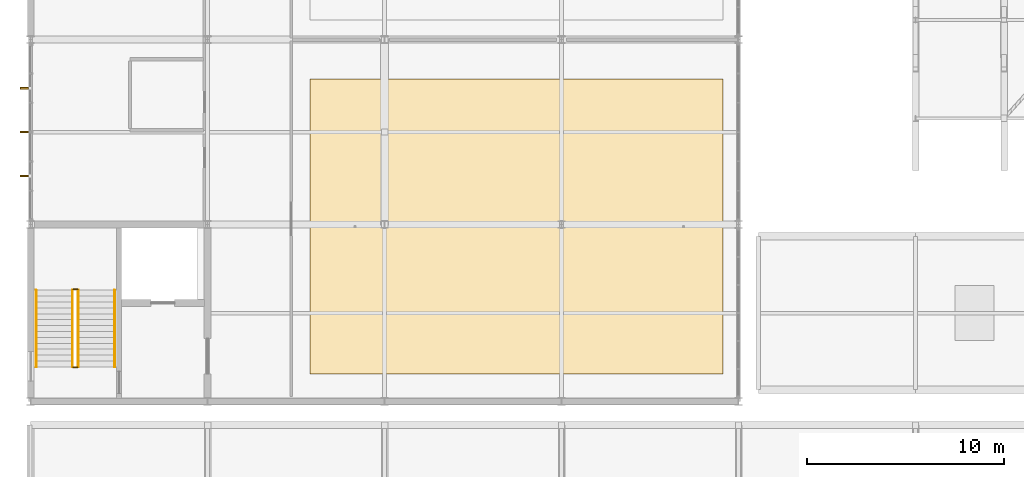
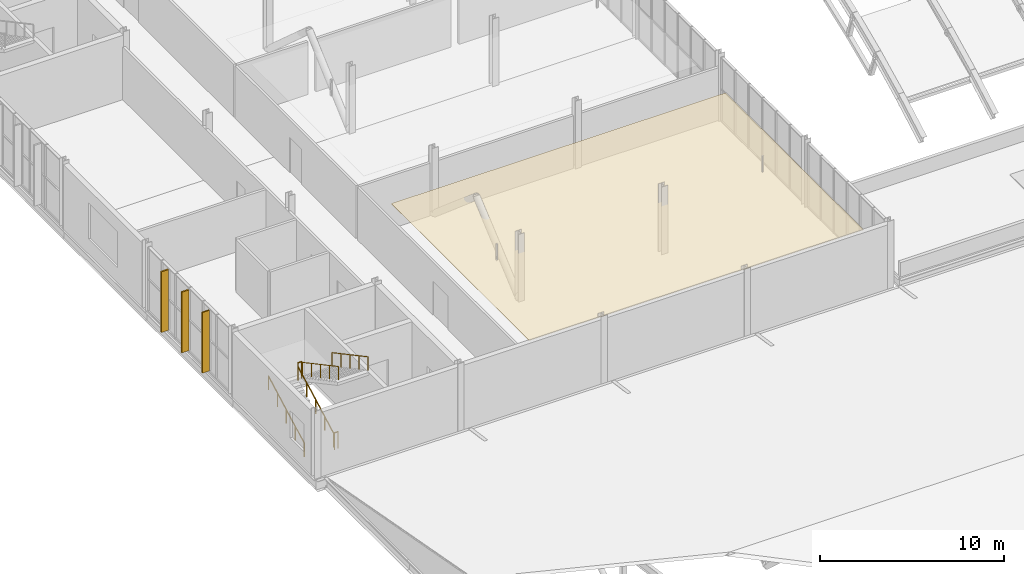
# One storey, part 101 of 103: 6 railings, 3 shading devices, 1 covering.
"""IFC4 building model written with IfcOpenShell, lengths in metres."""

import ifcopenshell
import ifcopenshell.guid

model = None  # the IFC model being written
_history = None  # IfcOwnerHistory: only IFC2X3 demands one
_inside = {}  # id of a spatial element -> (the spatial element, [elements in it])
_under = {}  # id of a project, library or spatial element -> (it, [spatial elements below it])
_declared = {}  # id of a project -> (the project, [libraries it declares])
_typed = {}  # id of a type object -> (the type object, [elements of that type])
_made_of = {}  # id of a material, layer set ... -> (it, [elements and type objects made of it])


def new_model(schema):
    """Start an empty IFC model of exactly this schema.

    Asked for "IFC4X3", IfcOpenShell would pick the latest addendum, in which some entities
    have other attributes; the version numbers below select the first issue.
    IFC2X3 requires an IfcOwnerHistory on every rooted entity: one is made here for all.
    """
    global model, _history
    if schema == "IFC4X3":
        model = ifcopenshell.file(schema_version=(4, 3, 0, 0))
    else:
        model = ifcopenshell.file(schema=schema)
    _inside.clear()
    _under.clear()
    _declared.clear()
    _typed.clear()
    _made_of.clear()
    _history = None
    if model.schema == "IFC2X3":
        org = make("IfcOrganization", Name="unknown")
        user = make(
            "IfcPersonAndOrganization",
            ThePerson=make("IfcPerson", FamilyName="unknown"),
            TheOrganization=org,
        )
        app = make(
            "IfcApplication",
            ApplicationDeveloper=org,
            Version="unknown",
            ApplicationFullName="unknown",
            ApplicationIdentifier="unknown",
        )
        _history = make(
            "IfcOwnerHistory",
            OwningUser=user,
            OwningApplication=app,
            ChangeAction="ADDED",
            CreationDate=0,
        )
    return model


def make(cls, **values):
    """One entity of the class cls with the attributes given. An attribute that is None is left unset."""
    return model.create_entity(
        cls, **{name: value for name, value in values.items() if value is not None}
    )


def rooted(cls, **values):
    """An entity with a GlobalId (a new one), such as an element, a storey or a relation."""
    return make(cls, GlobalId=ifcopenshell.guid.new(), OwnerHistory=_history, **values)


def si_unit(unit_type, name, prefix=None):
    """IfcSIUnit, for example si_unit("LENGTHUNIT", "METRE", prefix="MILLI")."""
    return make("IfcSIUnit", UnitType=unit_type, Prefix=prefix, Name=name)


def assignment(units):
    """IfcUnitAssignment: the units of a project."""
    return None if units is None else make("IfcUnitAssignment", Units=units)


def point(xyz):
    """IfcCartesianPoint."""
    return None if xyz is None else make("IfcCartesianPoint", Coordinates=xyz)


def direction(xyz):
    """IfcDirection."""
    return None if xyz is None else make("IfcDirection", DirectionRatios=xyz)


def frame(location, z_axis=None, x_axis=None):
    """IfcAxis2Placement3D, a coordinate frame: its origin and axes. An axis left out is left unset."""
    return make(
        "IfcAxis2Placement3D",
        Location=point(location),
        Axis=direction(z_axis),
        RefDirection=direction(x_axis),
    )


def frame_2d(location, x_axis=None):
    """IfcAxis2Placement2D, a coordinate frame in the plane: its origin and x axis."""
    return make(
        "IfcAxis2Placement2D", Location=point(location), RefDirection=direction(x_axis)
    )


def origin():
    """The frame at (0, 0, 0) with its axes left unset."""
    return frame((0.0, 0.0, 0.0))


def origin_2d():
    """The frame at (0, 0) in the plane with its x axis left unset."""
    return frame_2d((0.0, 0.0))


def place(relative_to, where):
    """IfcLocalPlacement: puts the frame where relative to a parent placement (None: the world)."""
    return make(
        "IfcLocalPlacement", PlacementRelTo=relative_to, RelativePlacement=where
    )


def context(
    kind, dimensions, precision=None, world=None, true_north=None, identifier=None
):
    """IfcGeometricRepresentationContext, for example the 3D "Model" context."""
    return make(
        "IfcGeometricRepresentationContext",
        ContextIdentifier=identifier,
        ContextType=kind,
        CoordinateSpaceDimension=dimensions,
        Precision=precision,
        WorldCoordinateSystem=world,
        TrueNorth=true_north,
    )


def subcontext(parent, identifier, kind, view, scale=None):
    """IfcGeometricRepresentationSubContext, for example "Body" below "Model"."""
    return make(
        "IfcGeometricRepresentationSubContext",
        ContextIdentifier=identifier,
        ContextType=kind,
        ParentContext=parent,
        TargetScale=scale,
        TargetView=view,
    )


def project(units=None, contexts=None):
    """IfcProject with its units and contexts."""
    return rooted(
        "IfcProject",
        Name="project",
        RepresentationContexts=contexts,
        UnitsInContext=assignment(units),
    )


def spatial(cls, under=None, at=None, **own):
    """A site, building, storey or space (cls), placed at a placement, below another one or the project."""
    s = rooted(cls, ObjectPlacement=at, **own)
    if under is not None:
        _under.setdefault(under.id(), (under, []))[1].append(s)
    return s


def polyline(points):
    """IfcPolyline through the points."""
    return make("IfcPolyline", Points=[point(p) for p in points])


def profile(cls, at=None, kind="AREA", **sizes):
    """A parametric profile (cls). Its sizes go by their IFC names, for example OverallWidth=200.0."""
    return make(cls, ProfileType=kind, Position=at, **sizes)


def rectangle(**sizes):
    """IfcRectangleProfileDef."""
    return profile("IfcRectangleProfileDef", **sizes)


def circle(**sizes):
    """IfcCircleProfileDef."""
    return profile("IfcCircleProfileDef", **sizes)


def outline(outer, holes=None, kind="AREA"):
    """IfcArbitraryClosedProfileDef: a profile drawn as a closed curve; with holes, ...WithVoids."""
    if holes is None:
        return make("IfcArbitraryClosedProfileDef", ProfileType=kind, OuterCurve=outer)
    return make(
        "IfcArbitraryProfileDefWithVoids",
        ProfileType=kind,
        OuterCurve=outer,
        InnerCurves=holes,
    )


def extrude(swept, where, along, depth):
    """IfcExtrudedAreaSolid: the profile swept, set in the frame where, extruded along a direction by depth."""
    return make(
        "IfcExtrudedAreaSolid",
        SweptArea=swept,
        Position=where,
        ExtrudedDirection=direction(along),
        Depth=depth,
    )


def shape(context_of_items, identifier, shape_type, items):
    """IfcShapeRepresentation: the items that make up one representation, for example the "Body"."""
    return make(
        "IfcShapeRepresentation",
        ContextOfItems=context_of_items,
        RepresentationIdentifier=identifier,
        RepresentationType=shape_type,
        Items=items,
    )


def material(Name=None, Category=None):
    """IfcMaterial."""
    return make("IfcMaterial", Name=Name, Category=Category)


def layer(
    of_material, thickness, ventilated=None, Name=None, Category=None, Priority=None
):
    """IfcMaterialLayer: one layer of a wall or slab, of a material (None: an air gap)."""
    return make(
        "IfcMaterialLayer",
        Material=of_material,
        LayerThickness=thickness,
        IsVentilated=ventilated,
        Name=Name,
        Category=Category,
        Priority=Priority,
    )


def layer_set(layers, Name=None):
    """IfcMaterialLayerSet."""
    return make("IfcMaterialLayerSet", MaterialLayers=layers, LayerSetName=Name)


def made_of(thing, what):
    """Note that an element or type object is made of a material, layer set ...; save() writes the relation."""
    if what is not None:
        _made_of.setdefault(what.id(), (what, []))[1].append(thing)
    return thing


def type_object(cls, material=None, **own):
    """A type object (cls), such as IfcWallType, which elements share."""
    return made_of(rooted(cls, **own), material)


def element(
    cls,
    number,
    at=None,
    inside=None,
    cuts=None,
    type_object=None,
    material=None,
    context=None,
    identifier="Body",
    shape_type=None,
    held_by="IfcProductDefinitionShape",
    body=None,
    shapes=None,
    **own,
):
    """One element of the class cls, such as IfcWall. Its Tag is "e" and its number.

    at: its placement. inside: the storey or other place that contains it. cuts: it is an
    opening in that element (IfcRelVoidsElement). A single representation is given by context,
    identifier, shape_type and body (its items); several are given by shapes. held_by: the class
    of the entity that holds the representations. save() writes the other relations.
    """
    e = rooted(cls, Tag="e%d" % number, ObjectPlacement=at, **own)
    if body is not None:
        shapes = [shape(context, identifier, shape_type, body)]
    if shapes is not None:
        e.Representation = make(held_by, Representations=shapes)
    if inside is not None:
        _inside.setdefault(inside.id(), (inside, []))[1].append(e)
    if cuts is not None:
        rooted(
            "IfcRelVoidsElement", RelatingBuildingElement=cuts, RelatedOpeningElement=e
        )
    if type_object is not None:
        _typed.setdefault(type_object.id(), (type_object, []))[1].append(e)
    return made_of(e, material)


def aggregate(whole, parts):
    """IfcRelAggregates: a whole, such as a stair, and the parts it consists of."""
    return rooted("IfcRelAggregates", RelatingObject=whole, RelatedObjects=parts)


def save(model, path):
    """Write the relations noted so far, then the file.

    IfcRelAggregates (storeys below a building ...), IfcRelContainedInSpatialStructure (elements
    in a storey), IfcRelDefinesByType, IfcRelAssociatesMaterial and IfcRelDeclares: one each for
    every whole, place, type object, material and project.
    """
    for whole, parts in _under.values():
        aggregate(whole, parts)
    for where, things in _inside.values():
        rooted(
            "IfcRelContainedInSpatialStructure",
            RelatedElements=things,
            RelatingStructure=where,
        )
    for kind, things in _typed.values():
        rooted("IfcRelDefinesByType", RelatedObjects=things, RelatingType=kind)
    for what, things in _made_of.values():
        rooted("IfcRelAssociatesMaterial", RelatedObjects=things, RelatingMaterial=what)
    for by, libraries in _declared.values():
        rooted("IfcRelDeclares", RelatingContext=by, RelatedDefinitions=libraries)
    model.write(path)


model = new_model("IFC4")

# Units and contexts
model_context = context("Model", 3, precision=1e-05, world=origin(), true_north=direction((0.0, 1.0)))
body_context = subcontext(model_context, "Body", "Model", "MODEL_VIEW")
ifc_project = project(units=[si_unit("LENGTHUNIT", "METRE"), si_unit("AREAUNIT", "SQUARE_METRE"), si_unit("VOLUMEUNIT", "CUBIC_METRE"), si_unit("PLANEANGLEUNIT", "RADIAN"), si_unit("MASSUNIT", "GRAM", prefix="KILO")], contexts=[model_context])

# Site, building, storey
site_placement = place(None, origin())
site = spatial("IfcSite", under=ifc_project, at=site_placement, CompositionType="ELEMENT")
building_placement = place(site_placement, origin())
building = spatial("IfcBuilding", under=site, at=building_placement, Name="Cazmaro Siding Exhibition Halls", CompositionType="ELEMENT")
storey_placement = place(building_placement, frame((0.0, 0.0, 16.5)))
storey = spatial("IfcBuildingStorey", under=building, at=storey_placement, Name="L03", CompositionType="ELEMENT", Elevation=16.5)

# Covering
ifc_material_1 = material(Name="Perforated Micro-Slotted Acoustic Timber Ceiling Cloud", Category="wood")
ifc_layer = layer(ifc_material_1, 0.02490234375)
ifc_layer_set = layer_set([ifc_layer], Name="Perforated Micro-Slotted Acoustic Timber Ceiling Cloud")
covering_type = type_object("IfcCoveringType", Name="COV-CEIL-01", PredefinedType="CEILING", material=ifc_layer_set)
covering_placement = place(storey_placement, frame((0.0, 0.0, 3.199951171875)))
element("IfcCovering", 1, at=covering_placement, inside=storey, type_object=covering_type, Name="Acoustic Timber Ceiling Cloud 007", PredefinedType="CEILING", context=body_context, shape_type="SweptSolid", body=[
    extrude(outline(polyline([(14.199951171875, 56.0), (35.199951171875, 56.0), (35.199951171875, 71.0), (14.199951171875, 71.0), (14.199951171875, 56.0)])), origin(), (0.0, 0.0, 1.0), 0.025146484375),
])

# Railings
ifc_material_2 = material(Name="Painted Steel Stairwell Guardrail", Category="steel")
railing_type_1 = type_object("IfcRailingType", Name="RL-GRD-01", PredefinedType="GUARDRAIL", material=ifc_material_2)
for number, where, name in (
    (2, (2.1650390625, 56.340087890625, 0.0), "Core C7 L03 Landing Slot Guard RL-GRD-01 RL-SG030"),
    (3, (2.1650390625, 60.300048828125, 2.25), "ST-16 Mid-Landing Slot Guard RL-GRD-01 RL-SG031"),
):
    element("IfcRailing", number, at=place(storey_placement, frame(where)), inside=storey, type_object=railing_type_1, Name=name, PredefinedType="GUARDRAIL", context=body_context, shape_type="SweptSolid", body=[
        extrude(circle(Radius=0.02392578125, at=origin_2d()), frame((0.0, 0.0, 1.09619140625), z_axis=(1.0, 0.0, 0.0), x_axis=(0.0, 1.0, 0.0)), (0.0, 0.0, 1.0), 0.224853515625),
        extrude(circle(Radius=0.02099609375, at=origin_2d()), origin(), (0.0, 0.0, 1.0), 1.072021484375),
        extrude(circle(Radius=0.02099609375, at=origin_2d()), frame((0.224853515625, 0.0, 0.0)), (0.0, 0.0, 1.0), 1.072021484375),
    ])
ifc_material_3 = material(Name="Brushed Stainless Steel Tubular Handrail", Category="steel")
railing_type_2 = type_object("IfcRailingType", Name="RL-HR-01", PredefinedType="HANDRAIL", material=ifc_material_3)
railing_1_placement = place(storey_placement, frame((0.280029296875, 56.360107421875, 0.160888671875)))
element("IfcRailing", 4, at=railing_1_placement, inside=storey, type_object=railing_type_2, Name="ST-16 Flight 1 Handrail 1", PredefinedType="HANDRAIL", context=body_context, shape_type="SweptSolid", body=[
    extrude(circle(Radius=0.02392578125, at=origin_2d()), frame((0.0, 0.0, 0.89599609375), z_axis=(0.0, 0.881491454809, 0.472199973632), x_axis=(-1.0, 0.0, 0.0)), (0.0, 0.0, 1.0), 4.42431640625),
    extrude(circle(Radius=0.02099609375, at=origin_2d()), origin(), (0.0, 0.0, 1.0), 0.871826171875),
    extrude(circle(Radius=0.02099609375, at=origin_2d()), frame((0.0, 0.97509765625, 0.522216796875)), (0.0, 0.0, 1.0), 0.871826171875),
    extrude(circle(Radius=0.02099609375, at=origin_2d()), frame((0.0, 1.949951171875, 1.04443359375)), (0.0, 0.0, 1.0), 0.871826171875),
    extrude(circle(Radius=0.02099609375, at=origin_2d()), frame((0.0, 2.9248046875, 1.56689453125)), (0.0, 0.0, 1.0), 0.871826171875),
    extrude(circle(Radius=0.02099609375, at=origin_2d()), frame((0.0, 3.89990234375, 2.089111328125)), (0.0, 0.0, 1.0), 0.871826171875),
])
railing_2_placement = place(storey_placement, frame((2.425048828125, 60.260009765625, 2.410888671875)))
element("IfcRailing", 5, at=railing_2_placement, inside=storey, type_object=railing_type_2, Name="ST-16 Flight 2 Handrail 1", PredefinedType="HANDRAIL", context=body_context, shape_type="SweptSolid", body=[
    extrude(circle(Radius=0.02392578125, at=origin_2d()), frame((0.0, 0.0, 0.89599609375), z_axis=(0.0, -0.881491454809, 0.472199973632), x_axis=(1.0, 0.0, 0.0)), (0.0, 0.0, 1.0), 4.42431640625),
    extrude(circle(Radius=0.02099609375, at=origin_2d()), origin(), (0.0, 0.0, 1.0), 0.871826171875),
    extrude(circle(Radius=0.02099609375, at=origin_2d()), frame((0.0, -0.97509765625, 0.522216796875)), (0.0, 0.0, 1.0), 0.871826171875),
    extrude(circle(Radius=0.02099609375, at=origin_2d()), frame((0.0, -1.949951171875, 1.04443359375)), (0.0, 0.0, 1.0), 0.871826171875),
    extrude(circle(Radius=0.02099609375, at=origin_2d()), frame((0.0, -2.9248046875, 1.56689453125)), (0.0, 0.0, 1.0), 0.871826171875),
    extrude(circle(Radius=0.02099609375, at=origin_2d()), frame((0.0, -3.89990234375, 2.089111328125)), (0.0, 0.0, 1.0), 0.871826171875),
])
railing_3_placement = place(storey_placement, frame((2.1298828125, 56.360107421875, 0.160888671875)))
element("IfcRailing", 6, at=railing_3_placement, inside=storey, type_object=railing_type_2, Name="ST-16 Flight 1 Handrail 2", PredefinedType="HANDRAIL", context=body_context, shape_type="SweptSolid", body=[
    extrude(circle(Radius=0.02392578125, at=origin_2d()), frame((0.0, 0.0, 0.89599609375), z_axis=(0.0, 0.881491454809, 0.472199973632), x_axis=(-1.0, 0.0, 0.0)), (0.0, 0.0, 1.0), 4.42431640625),
    extrude(circle(Radius=0.02099609375, at=origin_2d()), origin(), (0.0, 0.0, 1.0), 0.871826171875),
    extrude(circle(Radius=0.02099609375, at=origin_2d()), frame((0.0, 0.97509765625, 0.522216796875)), (0.0, 0.0, 1.0), 0.871826171875),
    extrude(circle(Radius=0.02099609375, at=origin_2d()), frame((0.0, 1.949951171875, 1.04443359375)), (0.0, 0.0, 1.0), 0.871826171875),
    extrude(circle(Radius=0.02099609375, at=origin_2d()), frame((0.0, 2.9248046875, 1.56689453125)), (0.0, 0.0, 1.0), 0.871826171875),
    extrude(circle(Radius=0.02099609375, at=origin_2d()), frame((0.0, 3.89990234375, 2.089111328125)), (0.0, 0.0, 1.0), 0.871826171875),
])
railing_4_placement = place(storey_placement, frame((4.27490234375, 60.260009765625, 2.410888671875)))
element("IfcRailing", 7, at=railing_4_placement, inside=storey, type_object=railing_type_2, Name="ST-16 Flight 2 Handrail 2", PredefinedType="HANDRAIL", context=body_context, shape_type="SweptSolid", body=[
    extrude(circle(Radius=0.02392578125, at=origin_2d()), frame((0.0, 0.0, 0.89599609375), z_axis=(0.0, -0.881491454809, 0.472199973632), x_axis=(1.0, 0.0, 0.0)), (0.0, 0.0, 1.0), 4.42431640625),
    extrude(circle(Radius=0.02099609375, at=origin_2d()), origin(), (0.0, 0.0, 1.0), 0.871826171875),
    extrude(circle(Radius=0.02099609375, at=origin_2d()), frame((0.0, -0.97509765625, 0.522216796875)), (0.0, 0.0, 1.0), 0.871826171875),
    extrude(circle(Radius=0.02099609375, at=origin_2d()), frame((0.0, -1.949951171875, 1.04443359375)), (0.0, 0.0, 1.0), 0.871826171875),
    extrude(circle(Radius=0.02099609375, at=origin_2d()), frame((0.0, -2.9248046875, 1.56689453125)), (0.0, 0.0, 1.0), 0.871826171875),
    extrude(circle(Radius=0.02099609375, at=origin_2d()), frame((0.0, -3.89990234375, 2.089111328125)), (0.0, 0.0, 1.0), 0.871826171875),
])

# Shading devices
ifc_material_4 = material(Name="Extruded Kiln-Fired Terracotta Sunshade Louver", Category="concrete")
shading_device_type = type_object("IfcShadingDeviceType", Name="SHD-TC-01", PredefinedType="USERDEFINED", material=ifc_material_4)
for number, where, z_axis, x_axis, name in (
    (8, (-0.31494140625, 66.06689453125, 0.125), (0.0, 0.0, 1.0), (1.0, 0.0, 0.0), "Extruded Terracotta Vertical Sunshade Fin SHD-01 037"),
    (9, (-0.31494140625, 68.300048828125, 0.125), (0.0, 0.0, 1.0), (1.0, 0.0, 0.0), "Extruded Terracotta Vertical Sunshade Fin SHD-01 038"),
    (10, (-0.31494140625, 70.533935546875, 0.125), (0.0, 0.0, 1.0), (1.0, 0.0, 0.0), "Extruded Terracotta Vertical Sunshade Fin SHD-01 039"),
):
    element("IfcShadingDevice", number, at=place(storey_placement, frame(where, z_axis=z_axis, x_axis=x_axis)), inside=storey, type_object=shading_device_type, Name=name, ObjectType="SUNSHADE", PredefinedType="USERDEFINED", context=body_context, shape_type="SweptSolid", body=[
        extrude(rectangle(XDim=0.449951171875, YDim=0.090087890625, at=origin_2d()), origin(), (0.0, 0.0, 1.0), 4.030029296875),
    ])

save(model, "model.ifc")
